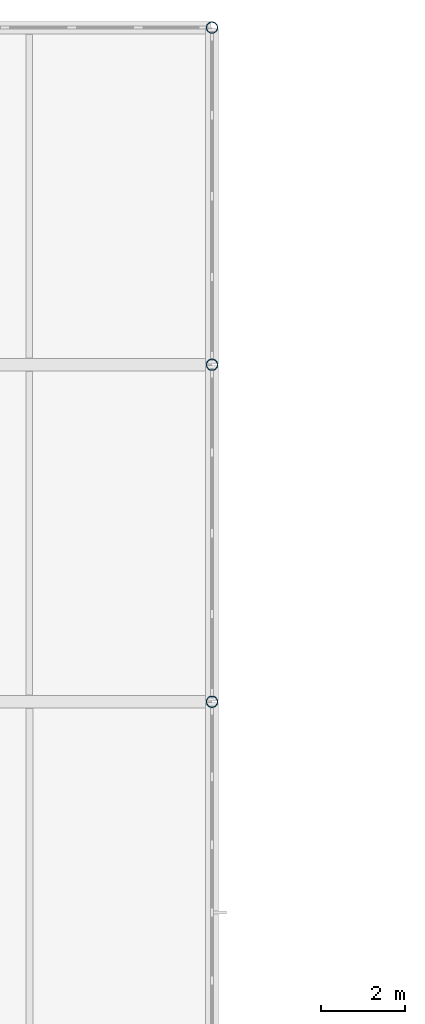
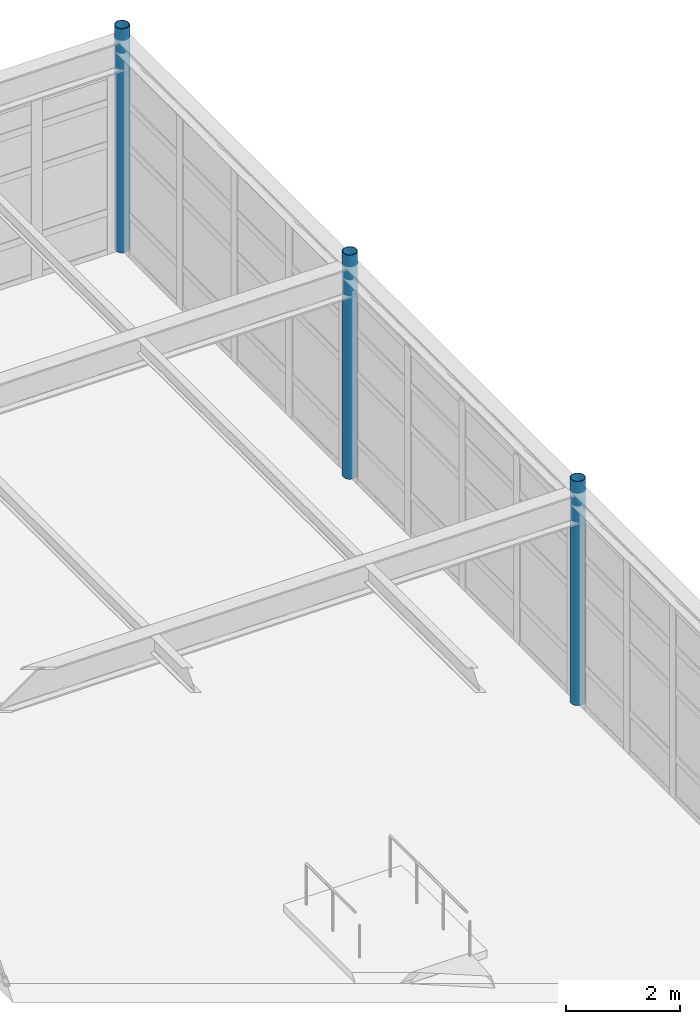
# One storey, part 23 of 139: 3 columns.
"""IFC4 building model written with IfcOpenShell, lengths in metres."""

from ifc_helpers import new_model, si_unit, direction, frame, origin, origin_2d, place, context, subcontext, project, spatial, hollow_circle, extrude, material, material_profile, profile_set, type_object, element, save


model = new_model("IFC4")

# Units and contexts
model_context = context("Model", 3, precision=1e-05, world=origin(), true_north=direction((0.0, 1.0)))
body_context = subcontext(model_context, "Body", "Model", "MODEL_VIEW")
ifc_project = project(units=[si_unit("LENGTHUNIT", "METRE"), si_unit("AREAUNIT", "SQUARE_METRE"), si_unit("VOLUMEUNIT", "CUBIC_METRE"), si_unit("PLANEANGLEUNIT", "RADIAN"), si_unit("MASSUNIT", "GRAM", prefix="KILO"), si_unit("THERMODYNAMICTEMPERATUREUNIT", "KELVIN"), si_unit("POWERUNIT", "WATT")], contexts=[model_context])

# Site, building, storey
site_placement = place(None, origin())
site = spatial("IfcSite", under=ifc_project, at=site_placement, CompositionType="ELEMENT")
building_placement = place(site_placement, origin())
building = spatial("IfcBuilding", under=site, at=building_placement, Name="Korenveer Ferry Terminal", CompositionType="ELEMENT")
storey_placement = place(building_placement, frame((0.0, 0.0, 5.39990234375)))
storey = spatial("IfcBuildingStorey", under=building, at=storey_placement, Name="L01", CompositionType="ELEMENT", Elevation=5.39990234375)

# Columns
ifc_material = material(Name="Steel S355", Category="steel")
ifc_material_profile = material_profile(ifc_material, hollow_circle(Radius=0.136474609375, WallThickness=0.012451171875, at=origin_2d()), Name="CHS 273x12.5")
ifc_profile_set = profile_set([ifc_material_profile], Name="Steel S355")
column_type = type_object("IfcColumnType", Name="STR-COL-CHS273", PredefinedType="COLUMN", material=ifc_profile_set)
for number, where, z_axis, x_axis, name in (
    (1, (136.0, 100.0, 0.0), (0.0, 0.0, 1.0), (1.0, 0.0, 0.0), "Column COL-L01-X136-Y100"),
    (2, (136.0, 108.0, 0.0), (0.0, 0.0, 1.0), (1.0, 0.0, 0.0), "Column COL-L01-X136-Y108"),
    (3, (136.0, 116.0, 0.0), (0.0, 0.0, 1.0), (1.0, 0.0, 0.0), "Column COL-L01-X136-Y116"),
):
    element("IfcColumn", number, at=place(storey_placement, frame(where, z_axis=z_axis, x_axis=x_axis)), inside=storey, type_object=column_type, Name=name, PredefinedType="COLUMN", context=body_context, shape_type="SweptSolid", body=[
        extrude(hollow_circle(Radius=0.136474609375, WallThickness=0.012451171875, at=origin_2d()), origin(), (0.0, 0.0, 1.0), 4.800048828125),
    ])

save(model, "model.ifc")
